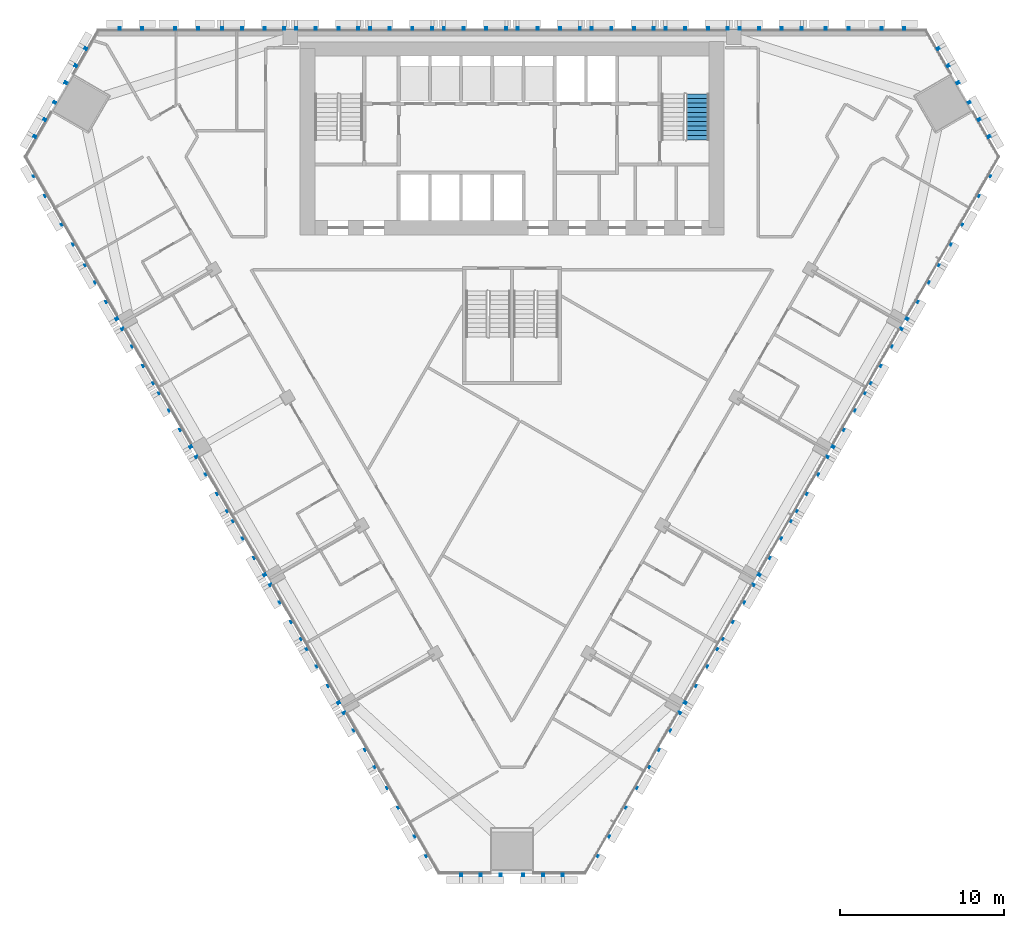
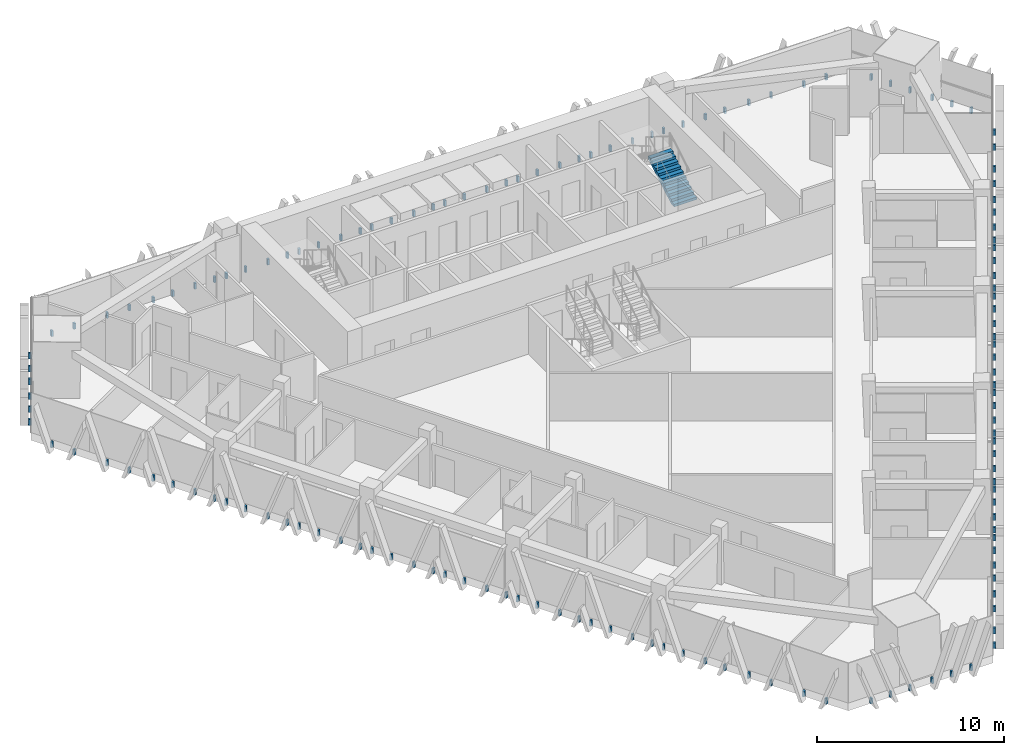
# One storey, part 13 of 16: 6 discrete accessories, 1 stair flight, 1 element without a shape of its own.
"""IFC4 building model written with IfcOpenShell, lengths in metres."""

from ifc_helpers import new_model, si_unit, direction, frame, origin, place, context, subcontext, project, spatial, polyline, outline, extrude, source, transform, mapped, material, type_object, element, aggregate, save


model = new_model("IFC4")

# Units and contexts
model_context = context("Model", 3, precision=1e-05, world=origin(), true_north=direction((0.0, 1.0)))
body_context = subcontext(model_context, "Body", "Model", "MODEL_VIEW")
ifc_project = project(units=[si_unit("LENGTHUNIT", "METRE"), si_unit("AREAUNIT", "SQUARE_METRE"), si_unit("VOLUMEUNIT", "CUBIC_METRE"), si_unit("PLANEANGLEUNIT", "RADIAN"), si_unit("MASSUNIT", "GRAM", prefix="KILO")], contexts=[model_context])

# Site, building, storey
site_placement = place(None, origin())
site = spatial("IfcSite", under=ifc_project, at=site_placement, CompositionType="ELEMENT")
building_placement = place(site_placement, origin())
building = spatial("IfcBuilding", under=site, at=building_placement, Name="Altiplano Prism Tower", CompositionType="ELEMENT")
storey_placement = place(building_placement, frame((0.0, 0.0, 77.39990234375)))
storey = spatial("IfcBuildingStorey", under=building, at=storey_placement, Name="L19", CompositionType="ELEMENT", Elevation=77.39990234375)

# Stair, stair flight
ifc_material_1 = material(Name="Concrete C40/50", Category="concrete")
stair_type = type_object("IfcStairType", Name="Exit stair 1400", PredefinedType="HALF_TURN_STAIR", material=ifc_material_1)
stair_placement = place(storey_placement, origin())
stair = element("IfcStair", 1, at=stair_placement, inside=storey, type_object=stair_type, Name="L19 Exit Stair 2", PredefinedType="HALF_TURN_STAIR")
stair_flight_type = type_object("IfcStairFlightType", Name="Stair flight concrete 150", PredefinedType="STRAIGHT", material=ifc_material_1)
stair_flight_placement = place(storey_placement, frame((96.300048828125, 98.300048828125, 0.0), z_axis=(0.0, 0.0, 1.0), x_axis=(0.0, 1.0, 0.0)))
stair_flight = element("IfcStairFlight", 2, at=stair_flight_placement, type_object=stair_flight_type, Name="ST2 flight 1", NumberOfRisers=11, NumberOfTreads=10, PredefinedType="STRAIGHT", RiserHeight=0.163636364, TreadLength=0.28, context=body_context, shape_type="SweptSolid", body=[
    extrude(outline(polyline([(0.0, 0.0), (0.0, 0.16357421875), (0.280029296875, 0.16357421875), (0.280029296875, 0.327392578125), (0.56005859375, 0.327392578125), (0.56005859375, 0.490966796875), (0.840087890625, 0.490966796875), (0.840087890625, 0.654541015625), (1.1201171875, 0.654541015625), (1.1201171875, 0.818115234375), (1.39990234375, 0.818115234375), (1.39990234375, 0.98193359375), (1.679931640625, 0.98193359375), (1.679931640625, 1.1455078125), (1.9599609375, 1.1455078125), (1.9599609375, 1.30908203125), (2.239990234375, 1.30908203125), (2.239990234375, 1.47265625), (2.52001953125, 1.47265625), (2.52001953125, 1.636474609375), (2.800048828125, 1.636474609375), (2.800048828125, 1.800048828125), (2.800048828125, 1.462646484375), (0.297119140625, 0.0), (0.0, 0.0)])), frame((0.0, 0.699951171875, 0.0), z_axis=(0.0, -1.0, 0.0), x_axis=(1.0, 0.0, 0.0)), (0.0, 0.0, 1.0), 1.39990234375),
])
aggregate(stair, [stair_flight])

# Discrete accessories
ifc_material_2 = material(Name="Stainless steel", Category="steel")
discrete_accessory_type = type_object("IfcDiscreteAccessoryType", Name="Stone fin fixing prongs", PredefinedType="USERDEFINED", material=ifc_material_2)
shared_shape_1 = source(origin(), body_context, "Body", "SweptSolid", [
    extrude(outline(polyline([(-0.7509765625, 0.06005859375), (-0.631103515625, 0.06005859375), (-0.631103515625, 0.43994140625), (-0.7509765625, 0.43994140625), (-0.7509765625, 0.06005859375)])), frame((0.0, 0.0, 0.0), z_axis=(0.0, -1.0, 0.0), x_axis=(1.0, 0.0, 0.0)), (0.0, 0.0, 1.0), 0.14990234375),
    extrude(outline(polyline([(0.631103515625, 0.06005859375), (0.7509765625, 0.06005859375), (0.7509765625, 0.43994140625), (0.631103515625, 0.43994140625), (0.631103515625, 0.06005859375)])), frame((0.0, 0.0, 0.0), z_axis=(0.0, -1.0, 0.0), x_axis=(1.0, 0.0, 0.0)), (0.0, 0.0, 1.0), 0.14990234375),
])
shared_shape_2 = source(origin(), body_context, "Body", "SweptSolid", [
    extrude(outline(polyline([(-0.7509765625, 0.06005859375), (-0.631103515625, 0.06005859375), (-0.631103515625, 0.43994140625), (-0.7509765625, 0.43994140625), (-0.7509765625, 0.06005859375)])), frame((0.0, 0.0, 0.0), z_axis=(0.0, -1.0, 0.0), x_axis=(1.0, 0.0, 0.0)), (0.0, 0.0, 1.0), 0.14990234375),
    extrude(outline(polyline([(0.631103515625, 0.06005859375), (0.7509765625, 0.06005859375), (0.7509765625, 0.43994140625), (0.631103515625, 0.43994140625), (0.631103515625, 0.06005859375)])), frame((0.0, 0.0, 0.0), z_axis=(0.0, -1.0, 0.0), x_axis=(1.0, 0.0, 0.0)), (0.0, 0.0, 1.0), 0.14990234375),
])
shared_shape_3 = source(origin(), body_context, "Body", "SweptSolid", [
    extrude(outline(polyline([(-1.950927734375, 0.06005859375), (-1.8310546875, 0.06005859375), (-1.8310546875, 0.43994140625), (-1.950927734375, 0.43994140625), (-1.950927734375, 0.06005859375)])), frame((0.0, 0.0, 0.0), z_axis=(0.0, -1.0, 0.0), x_axis=(1.0, 0.0, 0.0)), (0.0, 0.0, 1.0), 0.14990234375),
    extrude(outline(polyline([(-0.7509765625, 0.06005859375), (-0.631103515625, 0.06005859375), (-0.631103515625, 0.43994140625), (-0.7509765625, 0.43994140625), (-0.7509765625, 0.06005859375)])), frame((0.0, 0.0, 0.0), z_axis=(0.0, -1.0, 0.0), x_axis=(1.0, 0.0, 0.0)), (0.0, 0.0, 1.0), 0.14990234375),
    extrude(outline(polyline([(0.631103515625, 0.06005859375), (0.7509765625, 0.06005859375), (0.7509765625, 0.43994140625), (0.631103515625, 0.43994140625), (0.631103515625, 0.06005859375)])), frame((0.0, 0.0, 0.0), z_axis=(0.0, -1.0, 0.0), x_axis=(1.0, 0.0, 0.0)), (0.0, 0.0, 1.0), 0.14990234375),
    extrude(outline(polyline([(1.8310546875, 0.06005859375), (1.950927734375, 0.06005859375), (1.950927734375, 0.43994140625), (1.8310546875, 0.43994140625), (1.8310546875, 0.06005859375)])), frame((0.0, 0.0, 0.0), z_axis=(0.0, -1.0, 0.0), x_axis=(1.0, 0.0, 0.0)), (0.0, 0.0, 1.0), 0.14990234375),
])
discrete_accessory_1_placement = place(storey_placement, origin())
element("IfcDiscreteAccessory", 3, at=discrete_accessory_1_placement, inside=storey, type_object=discrete_accessory_type, Name="Fin fixings L19 north face", ObjectType="BRACKET", PredefinedType="USERDEFINED", context=body_context, shape_type="MappedRepresentation", body=[
    mapped(shared_shape_1, transform((108.208251953125, 105.0, -0.5), x_axis=(-1.0, 0.0, 0.0), y_axis=(0.0, -1.0, 0.0), z_axis=(0.0, 0.0, 1.0))),
    mapped(shared_shape_2, transform((104.802734375, 105.0, -0.5), x_axis=(-1.0, 0.0, 0.0), y_axis=(0.0, -1.0, 0.0), z_axis=(0.0, 0.0, 1.0))),
    mapped(shared_shape_3, transform((100.75, 105.0, -0.5), x_axis=(-1.0, 0.0, 0.0), y_axis=(0.0, -1.0, 0.0), z_axis=(0.0, 0.0, 1.0))),
    mapped(shared_shape_3, transform((96.25, 105.0, -0.5), x_axis=(-1.0, 0.0, 0.0), y_axis=(0.0, -1.0, 0.0), z_axis=(0.0, 0.0, 1.0))),
    mapped(shared_shape_3, transform((91.75, 105.0, -0.5), x_axis=(-1.0, 0.0, 0.0), y_axis=(0.0, -1.0, 0.0), z_axis=(0.0, 0.0, 1.0))),
    mapped(shared_shape_3, transform((87.25, 105.0, -0.5), x_axis=(-1.0, 0.0, 0.0), y_axis=(0.0, -1.0, 0.0), z_axis=(0.0, 0.0, 1.0))),
    mapped(shared_shape_3, transform((82.75, 105.0, -0.5), x_axis=(-1.0, 0.0, 0.0), y_axis=(0.0, -1.0, 0.0), z_axis=(0.0, 0.0, 1.0))),
    mapped(shared_shape_3, transform((78.25, 105.0, -0.5), x_axis=(-1.0, 0.0, 0.0), y_axis=(0.0, -1.0, 0.0), z_axis=(0.0, 0.0, 1.0))),
    mapped(shared_shape_3, transform((73.75, 105.0, -0.5), x_axis=(-1.0, 0.0, 0.0), y_axis=(0.0, -1.0, 0.0), z_axis=(0.0, 0.0, 1.0))),
    mapped(shared_shape_3, transform((69.25, 105.0, -0.5), x_axis=(-1.0, 0.0, 0.0), y_axis=(0.0, -1.0, 0.0), z_axis=(0.0, 0.0, 1.0))),
    mapped(shared_shape_2, transform((65.197265625, 105.0, -0.5), x_axis=(-1.0, 0.0, 0.0), y_axis=(0.0, -1.0, 0.0), z_axis=(0.0, 0.0, 1.0))),
    mapped(shared_shape_1, transform((61.791748046875, 105.0, -0.5), x_axis=(-1.0, 0.0, 0.0), y_axis=(0.0, -1.0, 0.0), z_axis=(0.0, 0.0, 1.0))),
])
discrete_accessory_2_placement = place(storey_placement, origin())
element("IfcDiscreteAccessory", 4, at=discrete_accessory_2_placement, inside=storey, type_object=discrete_accessory_type, Name="Fin fixings L19 south-west face", ObjectType="BRACKET", PredefinedType="USERDEFINED", context=body_context, shape_type="MappedRepresentation", body=[
    mapped(shared_shape_1, transform((56.3291015625, 95.53857421875, -0.5), x_axis=(0.500000004206, -0.866025401356, 0.0), y_axis=(0.866025401356, 0.500000004206, 0.0), z_axis=(0.0, 0.0, 1.0))),
    mapped(shared_shape_2, transform((58.031982421875, 92.58935546875, -0.5), x_axis=(0.500000004206, -0.866025401356, 0.0), y_axis=(0.866025401356, 0.500000004206, 0.0), z_axis=(0.0, 0.0, 1.0))),
    mapped(shared_shape_3, transform((60.058349609375, 89.07958984375, -0.5), x_axis=(0.500000004206, -0.866025401356, 0.0), y_axis=(0.866025401356, 0.500000004206, 0.0), z_axis=(0.0, 0.0, 1.0))),
    mapped(shared_shape_3, transform((62.308349609375, 85.182373046875, -0.5), x_axis=(0.500000004206, -0.866025401356, 0.0), y_axis=(0.866025401356, 0.500000004206, 0.0), z_axis=(0.0, 0.0, 1.0))),
    mapped(shared_shape_3, transform((64.558349609375, 81.285400390625, -0.5), x_axis=(0.500000004206, -0.866025401356, 0.0), y_axis=(0.866025401356, 0.500000004206, 0.0), z_axis=(0.0, 0.0, 1.0))),
    mapped(shared_shape_3, transform((66.808349609375, 77.38818359375, -0.5), x_axis=(0.500000004206, -0.866025401356, 0.0), y_axis=(0.866025401356, 0.500000004206, 0.0), z_axis=(0.0, 0.0, 1.0))),
    mapped(shared_shape_3, transform((69.058349609375, 73.490966796875, -0.5), x_axis=(0.500000004206, -0.866025401356, 0.0), y_axis=(0.866025401356, 0.500000004206, 0.0), z_axis=(0.0, 0.0, 1.0))),
    mapped(shared_shape_3, transform((71.308349609375, 69.593994140625, -0.5), x_axis=(0.500000004206, -0.866025401356, 0.0), y_axis=(0.866025401356, 0.500000004206, 0.0), z_axis=(0.0, 0.0, 1.0))),
    mapped(shared_shape_3, transform((73.558349609375, 65.69677734375, -0.5), x_axis=(0.500000004206, -0.866025401356, 0.0), y_axis=(0.866025401356, 0.500000004206, 0.0), z_axis=(0.0, 0.0, 1.0))),
    mapped(shared_shape_3, transform((75.808349609375, 61.7998046875, -0.5), x_axis=(0.500000004206, -0.866025401356, 0.0), y_axis=(0.866025401356, 0.500000004206, 0.0), z_axis=(0.0, 0.0, 1.0))),
    mapped(shared_shape_2, transform((77.834716796875, 58.2900390625, -0.5), x_axis=(0.500000004206, -0.866025401356, 0.0), y_axis=(0.866025401356, 0.500000004206, 0.0), z_axis=(0.0, 0.0, 1.0))),
    mapped(shared_shape_1, transform((79.537353515625, 55.3408203125, -0.5), x_axis=(0.500000004206, -0.866025401356, 0.0), y_axis=(0.866025401356, 0.500000004206, 0.0), z_axis=(0.0, 0.0, 1.0))),
])
discrete_accessory_3_placement = place(storey_placement, origin())
element("IfcDiscreteAccessory", 5, at=discrete_accessory_3_placement, inside=storey, type_object=discrete_accessory_type, Name="Fin fixings L19 south-east face", ObjectType="BRACKET", PredefinedType="USERDEFINED", context=body_context, shape_type="MappedRepresentation", body=[
    mapped(shared_shape_1, transform((90.462646484375, 55.3408203125, -0.5), x_axis=(0.500000004206, 0.866025401356, 0.0), y_axis=(-0.866025401356, 0.500000004206, 0.0), z_axis=(0.0, 0.0, 1.0))),
    mapped(shared_shape_2, transform((92.165283203125, 58.2900390625, -0.5), x_axis=(0.500000004206, 0.866025401356, 0.0), y_axis=(-0.866025401356, 0.500000004206, 0.0), z_axis=(0.0, 0.0, 1.0))),
    mapped(shared_shape_3, transform((94.191650390625, 61.7998046875, -0.5), x_axis=(0.500000004206, 0.866025401356, 0.0), y_axis=(-0.866025401356, 0.500000004206, 0.0), z_axis=(0.0, 0.0, 1.0))),
    mapped(shared_shape_3, transform((96.441650390625, 65.69677734375, -0.5), x_axis=(0.500000004206, 0.866025401356, 0.0), y_axis=(-0.866025401356, 0.500000004206, 0.0), z_axis=(0.0, 0.0, 1.0))),
    mapped(shared_shape_3, transform((98.691650390625, 69.593994140625, -0.5), x_axis=(0.500000004206, 0.866025401356, 0.0), y_axis=(-0.866025401356, 0.500000004206, 0.0), z_axis=(0.0, 0.0, 1.0))),
    mapped(shared_shape_3, transform((100.941650390625, 73.490966796875, -0.5), x_axis=(0.500000004206, 0.866025401356, 0.0), y_axis=(-0.866025401356, 0.500000004206, 0.0), z_axis=(0.0, 0.0, 1.0))),
    mapped(shared_shape_3, transform((103.191650390625, 77.38818359375, -0.5), x_axis=(0.500000004206, 0.866025401356, 0.0), y_axis=(-0.866025401356, 0.500000004206, 0.0), z_axis=(0.0, 0.0, 1.0))),
    mapped(shared_shape_3, transform((105.441650390625, 81.285400390625, -0.5), x_axis=(0.500000004206, 0.866025401356, 0.0), y_axis=(-0.866025401356, 0.500000004206, 0.0), z_axis=(0.0, 0.0, 1.0))),
    mapped(shared_shape_3, transform((107.691650390625, 85.182373046875, -0.5), x_axis=(0.500000004206, 0.866025401356, 0.0), y_axis=(-0.866025401356, 0.500000004206, 0.0), z_axis=(0.0, 0.0, 1.0))),
    mapped(shared_shape_3, transform((109.941650390625, 89.07958984375, -0.5), x_axis=(0.500000004206, 0.866025401356, 0.0), y_axis=(-0.866025401356, 0.500000004206, 0.0), z_axis=(0.0, 0.0, 1.0))),
    mapped(shared_shape_2, transform((111.968017578125, 92.58935546875, -0.5), x_axis=(0.500000004206, 0.866025401356, 0.0), y_axis=(-0.866025401356, 0.500000004206, 0.0), z_axis=(0.0, 0.0, 1.0))),
    mapped(shared_shape_1, transform((113.6708984375, 95.53857421875, -0.5), x_axis=(0.500000004206, 0.866025401356, 0.0), y_axis=(-0.866025401356, 0.500000004206, 0.0), z_axis=(0.0, 0.0, 1.0))),
])
shared_shape_4 = source(origin(), body_context, "Body", "SweptSolid", [
    extrude(outline(polyline([(-3.15087890625, 0.06005859375), (-3.031005859375, 0.06005859375), (-3.031005859375, 0.43994140625), (-3.15087890625, 0.43994140625), (-3.15087890625, 0.06005859375)])), frame((0.0, 0.0, 0.0), z_axis=(0.0, -1.0, 0.0), x_axis=(1.0, 0.0, 0.0)), (0.0, 0.0, 1.0), 0.14990234375),
    extrude(outline(polyline([(-1.950927734375, 0.06005859375), (-1.8310546875, 0.06005859375), (-1.8310546875, 0.43994140625), (-1.950927734375, 0.43994140625), (-1.950927734375, 0.06005859375)])), frame((0.0, 0.0, 0.0), z_axis=(0.0, -1.0, 0.0), x_axis=(1.0, 0.0, 0.0)), (0.0, 0.0, 1.0), 0.14990234375),
    extrude(outline(polyline([(-0.7509765625, 0.06005859375), (-0.631103515625, 0.06005859375), (-0.631103515625, 0.43994140625), (-0.7509765625, 0.43994140625), (-0.7509765625, 0.06005859375)])), frame((0.0, 0.0, 0.0), z_axis=(0.0, -1.0, 0.0), x_axis=(1.0, 0.0, 0.0)), (0.0, 0.0, 1.0), 0.14990234375),
    extrude(outline(polyline([(0.631103515625, 0.06005859375), (0.7509765625, 0.06005859375), (0.7509765625, 0.43994140625), (0.631103515625, 0.43994140625), (0.631103515625, 0.06005859375)])), frame((0.0, 0.0, 0.0), z_axis=(0.0, -1.0, 0.0), x_axis=(1.0, 0.0, 0.0)), (0.0, 0.0, 1.0), 0.14990234375),
    extrude(outline(polyline([(1.8310546875, 0.06005859375), (1.950927734375, 0.06005859375), (1.950927734375, 0.43994140625), (1.8310546875, 0.43994140625), (1.8310546875, 0.06005859375)])), frame((0.0, 0.0, 0.0), z_axis=(0.0, -1.0, 0.0), x_axis=(1.0, 0.0, 0.0)), (0.0, 0.0, 1.0), 0.14990234375),
    extrude(outline(polyline([(3.031005859375, 0.06005859375), (3.15087890625, 0.06005859375), (3.15087890625, 0.43994140625), (3.031005859375, 0.43994140625), (3.031005859375, 0.06005859375)])), frame((0.0, 0.0, 0.0), z_axis=(0.0, -1.0, 0.0), x_axis=(1.0, 0.0, 0.0)), (0.0, 0.0, 1.0), 0.14990234375),
])
discrete_accessory_4_placement = place(storey_placement, origin())
element("IfcDiscreteAccessory", 6, at=discrete_accessory_4_placement, inside=storey, type_object=discrete_accessory_type, Name="Fin fixings L19 north-west chamfer", ObjectType="BRACKET", PredefinedType="USERDEFINED", context=body_context, shape_type="MappedRepresentation", body=[
    mapped(shared_shape_4, transform((57.558349609375, 101.136474609375, -0.5), x_axis=(-0.50000001892, -0.866025392861, 0.0), y_axis=(0.866025392861, -0.50000001892, 0.0), z_axis=(0.0, 0.0, 1.0))),
])
discrete_accessory_5_placement = place(storey_placement, origin())
element("IfcDiscreteAccessory", 7, at=discrete_accessory_5_placement, inside=storey, type_object=discrete_accessory_type, Name="Fin fixings L19 south chamfer", ObjectType="BRACKET", PredefinedType="USERDEFINED", context=body_context, shape_type="MappedRepresentation", body=[
    mapped(shared_shape_4, transform((85.0, 53.6064453125, -0.5), x_axis=(1.0, 0.0, 0.0), y_axis=(0.0, 1.0, 0.0), z_axis=(0.0, 0.0, 1.0))),
])
discrete_accessory_6_placement = place(storey_placement, origin())
element("IfcDiscreteAccessory", 8, at=discrete_accessory_6_placement, inside=storey, type_object=discrete_accessory_type, Name="Fin fixings L19 north-east chamfer", ObjectType="BRACKET", PredefinedType="USERDEFINED", context=body_context, shape_type="MappedRepresentation", body=[
    mapped(shared_shape_4, transform((112.441650390625, 101.136474609375, -0.5), x_axis=(-0.50000001892, 0.866025392861, 0.0), y_axis=(-0.866025392861, -0.50000001892, 0.0), z_axis=(0.0, 0.0, 1.0))),
])

save(model, "model.ifc")
